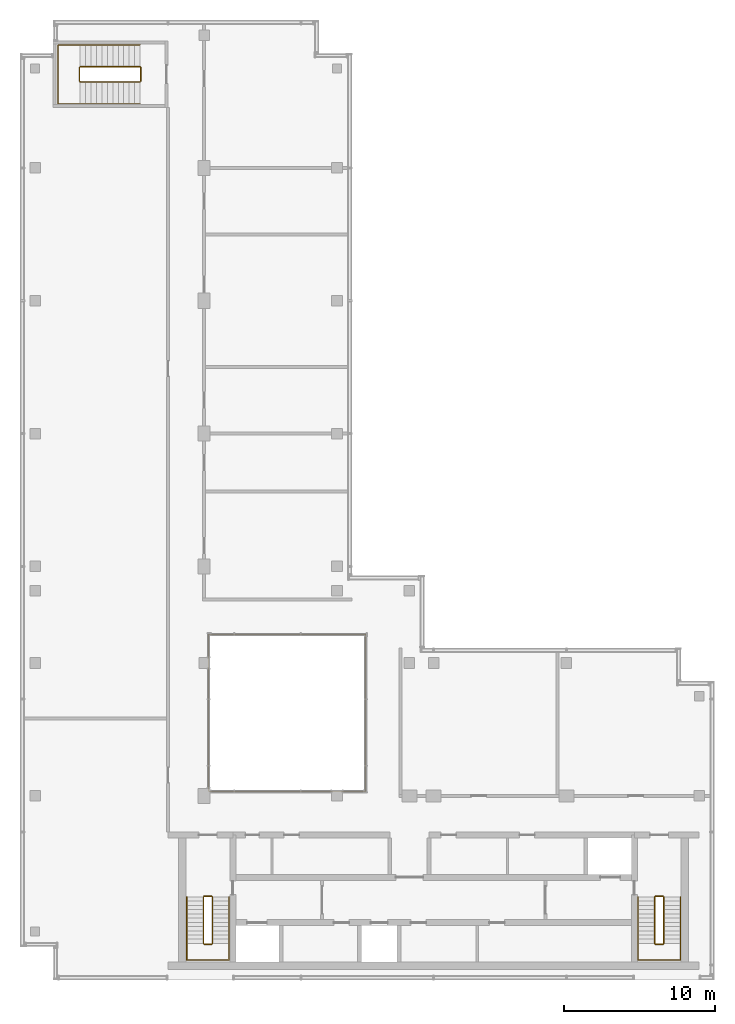
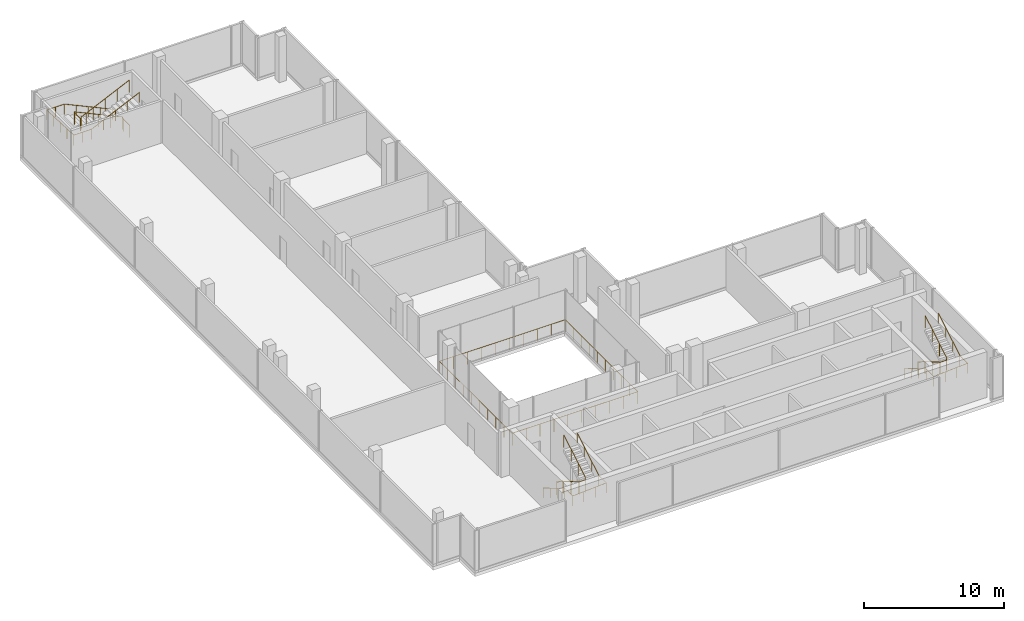
# One storey, part 11 of 11: 7 railings.
"""IFC4 building model written with IfcOpenShell, lengths in metres."""

from ifc_helpers import new_model, si_unit, direction, frame, origin, origin_2d, place, context, subcontext, project, spatial, circle, extrude, material, type_object, element, save


model = new_model("IFC4")

# Units and contexts
model_context = context("Model", 3, precision=1e-05, world=origin(), true_north=direction((0.0, 1.0)))
body_context = subcontext(model_context, "Body", "Model", "MODEL_VIEW")
ifc_project = project(units=[si_unit("LENGTHUNIT", "METRE"), si_unit("AREAUNIT", "SQUARE_METRE"), si_unit("VOLUMEUNIT", "CUBIC_METRE"), si_unit("PLANEANGLEUNIT", "RADIAN"), si_unit("MASSUNIT", "GRAM", prefix="KILO")], contexts=[model_context])

# Site, building, storey
site_placement = place(None, origin())
site = spatial("IfcSite", under=ifc_project, at=site_placement, CompositionType="ELEMENT")
building_placement = place(site_placement, origin())
building = spatial("IfcBuilding", under=site, at=building_placement, Name="Kemantara Hotel Tower", CompositionType="ELEMENT")
storey_placement = place(building_placement, frame((0.0, 0.0, 326.199951171875)))
storey = spatial("IfcBuildingStorey", under=building, at=storey_placement, Name="L82", CompositionType="ELEMENT", Elevation=326.199951171875)

# Railings
ifc_material = material(Name="Stainless steel balustrade", Category="steel")
railing_type_1 = type_object("IfcRailingType", Name="STAINLESS STEEL GUARD 1100", PredefinedType="GUARDRAIL", material=ifc_material)
railing_1_placement = place(storey_placement, frame((12.5, 12.5, 0.0)))
element("IfcRailing", 1, at=railing_1_placement, inside=storey, type_object=railing_type_1, Name="ATRIUM GUARD", PredefinedType="GUARDRAIL", context=body_context, shape_type="SweptSolid", body=[
    extrude(circle(Radius=0.02392578125, at=origin_2d()), frame((0.0, 0.0, 1.076171875), z_axis=(1.0, 0.0, 0.0), x_axis=(0.0, 1.0, 0.0)), (0.0, 0.0, 1.0), 10.39990234375),
    extrude(circle(Radius=0.02392578125, at=origin_2d()), frame((10.39990234375, 0.0, 1.076171875), z_axis=(0.0, 1.0, 0.0), x_axis=(-1.0, 0.0, 0.0)), (0.0, 0.0, 1.0), 10.39990234375),
    extrude(circle(Radius=0.02392578125, at=origin_2d()), frame((10.39990234375, 10.39990234375, 1.076171875), z_axis=(-1.0, 0.0, 0.0), x_axis=(0.0, -1.0, 0.0)), (0.0, 0.0, 1.0), 10.39990234375),
    extrude(circle(Radius=0.02392578125, at=origin_2d()), frame((0.0, 10.39990234375, 1.076171875), z_axis=(0.0, -1.0, 0.0), x_axis=(1.0, 0.0, 0.0)), (0.0, 0.0, 1.0), 10.39990234375),
    extrude(circle(Radius=0.02099609375, at=origin_2d()), origin(), (0.0, 0.0, 1.0), 1.052001953125),
    extrude(circle(Radius=0.02099609375, at=origin_2d()), frame((1.155517578125, 0.0, 0.0)), (0.0, 0.0, 1.0), 1.052001953125),
    extrude(circle(Radius=0.02099609375, at=origin_2d()), frame((2.31103515625, 0.0, 0.0)), (0.0, 0.0, 1.0), 1.052001953125),
    extrude(circle(Radius=0.02099609375, at=origin_2d()), frame((3.466552734375, 0.0, 0.0)), (0.0, 0.0, 1.0), 1.052001953125),
    extrude(circle(Radius=0.02099609375, at=origin_2d()), frame((4.6220703125, 0.0, 0.0)), (0.0, 0.0, 1.0), 1.052001953125),
    extrude(circle(Radius=0.02099609375, at=origin_2d()), frame((5.77783203125, 0.0, 0.0)), (0.0, 0.0, 1.0), 1.052001953125),
    extrude(circle(Radius=0.02099609375, at=origin_2d()), frame((6.933349609375, 0.0, 0.0)), (0.0, 0.0, 1.0), 1.052001953125),
    extrude(circle(Radius=0.02099609375, at=origin_2d()), frame((8.0888671875, 0.0, 0.0)), (0.0, 0.0, 1.0), 1.052001953125),
    extrude(circle(Radius=0.02099609375, at=origin_2d()), frame((9.244384765625, 0.0, 0.0)), (0.0, 0.0, 1.0), 1.052001953125),
    extrude(circle(Radius=0.02099609375, at=origin_2d()), frame((10.39990234375, 0.0, 0.0)), (0.0, 0.0, 1.0), 1.052001953125),
    extrude(circle(Radius=0.02099609375, at=origin_2d()), frame((10.39990234375, 1.155517578125, 0.0)), (0.0, 0.0, 1.0), 1.052001953125),
    extrude(circle(Radius=0.02099609375, at=origin_2d()), frame((10.39990234375, 2.31103515625, 0.0)), (0.0, 0.0, 1.0), 1.052001953125),
    extrude(circle(Radius=0.02099609375, at=origin_2d()), frame((10.39990234375, 3.466552734375, 0.0)), (0.0, 0.0, 1.0), 1.052001953125),
    extrude(circle(Radius=0.02099609375, at=origin_2d()), frame((10.39990234375, 4.6220703125, 0.0)), (0.0, 0.0, 1.0), 1.052001953125),
    extrude(circle(Radius=0.02099609375, at=origin_2d()), frame((10.39990234375, 5.77783203125, 0.0)), (0.0, 0.0, 1.0), 1.052001953125),
    extrude(circle(Radius=0.02099609375, at=origin_2d()), frame((10.39990234375, 6.933349609375, 0.0)), (0.0, 0.0, 1.0), 1.052001953125),
    extrude(circle(Radius=0.02099609375, at=origin_2d()), frame((10.39990234375, 8.0888671875, 0.0)), (0.0, 0.0, 1.0), 1.052001953125),
    extrude(circle(Radius=0.02099609375, at=origin_2d()), frame((10.39990234375, 9.244384765625, 0.0)), (0.0, 0.0, 1.0), 1.052001953125),
    extrude(circle(Radius=0.02099609375, at=origin_2d()), frame((10.39990234375, 10.39990234375, 0.0)), (0.0, 0.0, 1.0), 1.052001953125),
    extrude(circle(Radius=0.02099609375, at=origin_2d()), frame((9.244384765625, 10.39990234375, 0.0)), (0.0, 0.0, 1.0), 1.052001953125),
    extrude(circle(Radius=0.02099609375, at=origin_2d()), frame((8.0888671875, 10.39990234375, 0.0)), (0.0, 0.0, 1.0), 1.052001953125),
    extrude(circle(Radius=0.02099609375, at=origin_2d()), frame((6.933349609375, 10.39990234375, 0.0)), (0.0, 0.0, 1.0), 1.052001953125),
    extrude(circle(Radius=0.02099609375, at=origin_2d()), frame((5.77783203125, 10.39990234375, 0.0)), (0.0, 0.0, 1.0), 1.052001953125),
    extrude(circle(Radius=0.02099609375, at=origin_2d()), frame((4.6220703125, 10.39990234375, 0.0)), (0.0, 0.0, 1.0), 1.052001953125),
    extrude(circle(Radius=0.02099609375, at=origin_2d()), frame((3.466552734375, 10.39990234375, 0.0)), (0.0, 0.0, 1.0), 1.052001953125),
    extrude(circle(Radius=0.02099609375, at=origin_2d()), frame((2.31103515625, 10.39990234375, 0.0)), (0.0, 0.0, 1.0), 1.052001953125),
    extrude(circle(Radius=0.02099609375, at=origin_2d()), frame((1.155517578125, 10.39990234375, 0.0)), (0.0, 0.0, 1.0), 1.052001953125),
    extrude(circle(Radius=0.02099609375, at=origin_2d()), frame((0.0, 10.39990234375, 0.0)), (0.0, 0.0, 1.0), 1.052001953125),
    extrude(circle(Radius=0.02099609375, at=origin_2d()), frame((0.0, 9.244384765625, 0.0)), (0.0, 0.0, 1.0), 1.052001953125),
    extrude(circle(Radius=0.02099609375, at=origin_2d()), frame((0.0, 8.0888671875, 0.0)), (0.0, 0.0, 1.0), 1.052001953125),
    extrude(circle(Radius=0.02099609375, at=origin_2d()), frame((0.0, 6.933349609375, 0.0)), (0.0, 0.0, 1.0), 1.052001953125),
    extrude(circle(Radius=0.02099609375, at=origin_2d()), frame((0.0, 5.77783203125, 0.0)), (0.0, 0.0, 1.0), 1.052001953125),
    extrude(circle(Radius=0.02099609375, at=origin_2d()), frame((0.0, 4.6220703125, 0.0)), (0.0, 0.0, 1.0), 1.052001953125),
    extrude(circle(Radius=0.02099609375, at=origin_2d()), frame((0.0, 3.466552734375, 0.0)), (0.0, 0.0, 1.0), 1.052001953125),
    extrude(circle(Radius=0.02099609375, at=origin_2d()), frame((0.0, 2.31103515625, 0.0)), (0.0, 0.0, 1.0), 1.052001953125),
    extrude(circle(Radius=0.02099609375, at=origin_2d()), frame((0.0, 1.155517578125, 0.0)), (0.0, 0.0, 1.0), 1.052001953125),
])
railing_type_2 = type_object("IfcRailingType", Name="Stair guard 1100 mm", PredefinedType="GUARDRAIL", material=ifc_material)
railing_2_placement = place(storey_placement, frame((12.75, 5.5, 4.0)))
element("IfcRailing", 2, at=railing_2_placement, inside=storey, type_object=railing_type_2, Name="L82 ST1 stair guard 1", PredefinedType="GUARDRAIL", context=body_context, shape_type="SweptSolid", body=[
    extrude(circle(Radius=0.02392578125, at=origin_2d()), frame((0.0, 0.0, 1.076171875), z_axis=(0.0, -0.859308565015, -0.511457515432), x_axis=(1.0, 0.0, 0.0)), (0.0, 0.0, 1.0), 3.58447265625),
    extrude(circle(Radius=0.02392578125, at=origin_2d()), frame((0.0, -3.080078125, -0.75732421875), z_axis=(-0.276389281352, -0.275041040955, -0.920848191041), x_axis=(0.705375805398, -0.708833529934, 0.0)), (0.0, 0.0, 1.0), 0.18115234375),
    extrude(circle(Radius=0.02392578125, at=origin_2d()), frame((-0.050048828125, -3.1298828125, -0.923828125), z_axis=(-1.0, 0.0, 0.0), x_axis=(0.0, -1.0, 0.0)), (0.0, 0.0, 1.0), 0.5),
    extrude(circle(Radius=0.02392578125, at=origin_2d()), frame((-0.550048828125, -3.1298828125, -0.923828125), z_axis=(-0.708833529934, 0.705375805398, 0.0), x_axis=(-0.705375805398, -0.708833529934, 0.0)), (0.0, 0.0, 1.0), 0.070556640625),
    extrude(circle(Radius=0.02392578125, at=origin_2d()), frame((-0.60009765625, -3.080078125, -0.923828125), z_axis=(0.0, 0.859308565015, -0.511457515432), x_axis=(-1.0, 0.0, 0.0)), (0.0, 0.0, 1.0), 3.58447265625),
    extrude(circle(Radius=0.02392578125, at=origin_2d()), frame((-0.60009765625, 0.0, -2.75732421875), z_axis=(0.27628659633, 0.27628659633, -0.920506074601), x_axis=(-0.707106781187, 0.707106781187, 0.0)), (0.0, 0.0, 1.0), 0.18115234375),
    extrude(circle(Radius=0.02392578125, at=origin_2d()), frame((-0.550048828125, 0.050048828125, -2.923828125), z_axis=(1.0, 0.0, 0.0), x_axis=(0.0, 1.0, 0.0)), (0.0, 0.0, 1.0), 0.5),
    extrude(circle(Radius=0.02099609375, at=origin_2d()), origin(), (0.0, 0.0, 1.0), 1.052001953125),
    extrude(circle(Radius=0.02099609375, at=origin_2d()), frame((0.0, -1.026611328125, -0.611083984375)), (0.0, 0.0, 1.0), 1.052001953125),
    extrude(circle(Radius=0.02099609375, at=origin_2d()), frame((0.0, -2.053466796875, -1.22216796875)), (0.0, 0.0, 1.0), 1.052001953125),
    extrude(circle(Radius=0.02099609375, at=origin_2d()), frame((0.0, -3.080078125, -1.833251953125)), (0.0, 0.0, 1.0), 1.052001953125),
    extrude(circle(Radius=0.02099609375, at=origin_2d()), frame((-0.050048828125, -3.1298828125, -2.0)), (0.0, 0.0, 1.0), 1.052001953125),
    extrude(circle(Radius=0.02099609375, at=origin_2d()), frame((-0.550048828125, -3.1298828125, -2.0)), (0.0, 0.0, 1.0), 1.052001953125),
    extrude(circle(Radius=0.02099609375, at=origin_2d()), frame((-0.60009765625, -3.080078125, -2.0)), (0.0, 0.0, 1.0), 1.052001953125),
    extrude(circle(Radius=0.02099609375, at=origin_2d()), frame((-0.60009765625, -2.053466796875, -2.611083984375)), (0.0, 0.0, 1.0), 1.052001953125),
    extrude(circle(Radius=0.02099609375, at=origin_2d()), frame((-0.60009765625, -1.026611328125, -3.22216796875)), (0.0, 0.0, 1.0), 1.052001953125),
    extrude(circle(Radius=0.02099609375, at=origin_2d()), frame((-0.60009765625, 0.0, -3.833251953125)), (0.0, 0.0, 1.0), 1.052001953125),
    extrude(circle(Radius=0.02099609375, at=origin_2d()), frame((-0.550048828125, 0.050048828125, -4.0)), (0.0, 0.0, 1.0), 1.052001953125),
    extrude(circle(Radius=0.02099609375, at=origin_2d()), frame((-0.050048828125, 0.050048828125, -4.0)), (0.0, 0.0, 1.0), 1.052001953125),
])
railing_3_placement = place(storey_placement, frame((42.64990234375, 5.5, 4.0)))
element("IfcRailing", 3, at=railing_3_placement, inside=storey, type_object=railing_type_2, Name="L82 ST2 stair guard 1", PredefinedType="GUARDRAIL", context=body_context, shape_type="SweptSolid", body=[
    extrude(circle(Radius=0.02392578125, at=origin_2d()), frame((0.0, 0.0, 1.076171875), z_axis=(0.0, -0.859308565015, -0.511457515432), x_axis=(1.0, 0.0, 0.0)), (0.0, 0.0, 1.0), 3.58447265625),
    extrude(circle(Radius=0.02392578125, at=origin_2d()), frame((0.0, -3.080078125, -0.75732421875), z_axis=(-0.275143339093, -0.275143339093, -0.92119068922), x_axis=(0.707106781187, -0.707106781187, 0.0)), (0.0, 0.0, 1.0), 0.180908203125),
    extrude(circle(Radius=0.02392578125, at=origin_2d()), frame((-0.0498046875, -3.1298828125, -0.923828125), z_axis=(-1.0, 0.0, 0.0), x_axis=(0.0, -1.0, 0.0)), (0.0, 0.0, 1.0), 0.5),
    extrude(circle(Radius=0.02392578125, at=origin_2d()), frame((-0.5498046875, -3.1298828125, -0.923828125), z_axis=(-0.708833529934, 0.705375805398, 0.0), x_axis=(-0.705375805398, -0.708833529934, 0.0)), (0.0, 0.0, 1.0), 0.070556640625),
    extrude(circle(Radius=0.02392578125, at=origin_2d()), frame((-0.599853515625, -3.080078125, -0.923828125), z_axis=(0.0, 0.859308565015, -0.511457515432), x_axis=(-1.0, 0.0, 0.0)), (0.0, 0.0, 1.0), 3.58447265625),
    extrude(circle(Radius=0.02392578125, at=origin_2d()), frame((-0.599853515625, 0.0, -2.75732421875), z_axis=(0.27628659633, 0.27628659633, -0.920506074601), x_axis=(-0.707106781187, 0.707106781187, 0.0)), (0.0, 0.0, 1.0), 0.18115234375),
    extrude(circle(Radius=0.02392578125, at=origin_2d()), frame((-0.5498046875, 0.050048828125, -2.923828125), z_axis=(1.0, 0.0, 0.0), x_axis=(0.0, 1.0, 0.0)), (0.0, 0.0, 1.0), 0.5),
    extrude(circle(Radius=0.02099609375, at=origin_2d()), origin(), (0.0, 0.0, 1.0), 1.052001953125),
    extrude(circle(Radius=0.02099609375, at=origin_2d()), frame((0.0, -1.026611328125, -0.611083984375)), (0.0, 0.0, 1.0), 1.052001953125),
    extrude(circle(Radius=0.02099609375, at=origin_2d()), frame((0.0, -2.053466796875, -1.22216796875)), (0.0, 0.0, 1.0), 1.052001953125),
    extrude(circle(Radius=0.02099609375, at=origin_2d()), frame((0.0, -3.080078125, -1.833251953125)), (0.0, 0.0, 1.0), 1.052001953125),
    extrude(circle(Radius=0.02099609375, at=origin_2d()), frame((-0.0498046875, -3.1298828125, -2.0)), (0.0, 0.0, 1.0), 1.052001953125),
    extrude(circle(Radius=0.02099609375, at=origin_2d()), frame((-0.5498046875, -3.1298828125, -2.0)), (0.0, 0.0, 1.0), 1.052001953125),
    extrude(circle(Radius=0.02099609375, at=origin_2d()), frame((-0.599853515625, -3.080078125, -2.0)), (0.0, 0.0, 1.0), 1.052001953125),
    extrude(circle(Radius=0.02099609375, at=origin_2d()), frame((-0.599853515625, -2.053466796875, -2.611083984375)), (0.0, 0.0, 1.0), 1.052001953125),
    extrude(circle(Radius=0.02099609375, at=origin_2d()), frame((-0.599853515625, -1.026611328125, -3.22216796875)), (0.0, 0.0, 1.0), 1.052001953125),
    extrude(circle(Radius=0.02099609375, at=origin_2d()), frame((-0.599853515625, 0.0, -3.833251953125)), (0.0, 0.0, 1.0), 1.052001953125),
    extrude(circle(Radius=0.02099609375, at=origin_2d()), frame((-0.5498046875, 0.050048828125, -4.0)), (0.0, 0.0, 1.0), 1.052001953125),
    extrude(circle(Radius=0.02099609375, at=origin_2d()), frame((-0.0498046875, 0.050048828125, -4.0)), (0.0, 0.0, 1.0), 1.052001953125),
])
railing_4_placement = place(storey_placement, frame((7.949951171875, 59.5, 4.0)))
element("IfcRailing", 4, at=railing_4_placement, inside=storey, type_object=railing_type_2, Name="L82 ST4 stair guard 1", PredefinedType="GUARDRAIL", context=body_context, shape_type="SweptSolid", body=[
    extrude(circle(Radius=0.02392578125, at=origin_2d()), frame((0.0, 0.0, 1.076171875), z_axis=(-0.907472437036, 0.0, -0.420111623286), x_axis=(0.0, -1.0, 0.0)), (0.0, 0.0, 1.0), 4.36376953125),
    extrude(circle(Radius=0.02392578125, at=origin_2d()), frame((-3.9599609375, 0.0, -0.75732421875), z_axis=(-0.27628659633, 0.27628659633, -0.920506074601), x_axis=(-0.707106781187, -0.707106781187, 0.0)), (0.0, 0.0, 1.0), 0.18115234375),
    extrude(circle(Radius=0.02392578125, at=origin_2d()), frame((-4.010009765625, 0.050048828125, -0.923828125), z_axis=(0.0, 1.0, 0.0), x_axis=(-1.0, 0.0, 0.0)), (0.0, 0.0, 1.0), 0.89990234375),
    extrude(circle(Radius=0.02392578125, at=origin_2d()), frame((-4.010009765625, 0.949951171875, -0.923828125), z_axis=(0.707106781187, 0.707106781187, 0.0), x_axis=(-0.707106781187, 0.707106781187, 0.0)), (0.0, 0.0, 1.0), 0.07080078125),
    extrude(circle(Radius=0.02392578125, at=origin_2d()), frame((-3.9599609375, 1.0, -0.923828125), z_axis=(0.907472437036, 0.0, -0.420111623286), x_axis=(0.0, 1.0, 0.0)), (0.0, 0.0, 1.0), 4.36376953125),
    extrude(circle(Radius=0.02392578125, at=origin_2d()), frame((0.0, 1.0, -2.75732421875), z_axis=(0.27628659633, -0.27628659633, -0.920506074601), x_axis=(0.707106781187, 0.707106781187, 0.0)), (0.0, 0.0, 1.0), 0.18115234375),
    extrude(circle(Radius=0.02392578125, at=origin_2d()), frame((0.050048828125, 0.949951171875, -2.923828125), z_axis=(0.0, -1.0, 0.0), x_axis=(1.0, 0.0, 0.0)), (0.0, 0.0, 1.0), 0.89990234375),
    extrude(circle(Radius=0.02099609375, at=origin_2d()), origin(), (0.0, 0.0, 1.0), 1.052001953125),
    extrude(circle(Radius=0.02099609375, at=origin_2d()), frame((-0.989990234375, 0.0, -0.458251953125)), (0.0, 0.0, 1.0), 1.052001953125),
    extrude(circle(Radius=0.02099609375, at=origin_2d()), frame((-1.97998046875, 0.0, -0.91650390625)), (0.0, 0.0, 1.0), 1.052001953125),
    extrude(circle(Radius=0.02099609375, at=origin_2d()), frame((-2.969970703125, 0.0, -1.375)), (0.0, 0.0, 1.0), 1.052001953125),
    extrude(circle(Radius=0.02099609375, at=origin_2d()), frame((-3.9599609375, 0.0, -1.833251953125)), (0.0, 0.0, 1.0), 1.052001953125),
    extrude(circle(Radius=0.02099609375, at=origin_2d()), frame((-4.010009765625, 0.050048828125, -2.0)), (0.0, 0.0, 1.0), 1.052001953125),
    extrude(circle(Radius=0.02099609375, at=origin_2d()), frame((-4.010009765625, 0.949951171875, -2.0)), (0.0, 0.0, 1.0), 1.052001953125),
    extrude(circle(Radius=0.02099609375, at=origin_2d()), frame((-3.9599609375, 1.0, -2.0)), (0.0, 0.0, 1.0), 1.052001953125),
    extrude(circle(Radius=0.02099609375, at=origin_2d()), frame((-2.969970703125, 1.0, -2.458251953125)), (0.0, 0.0, 1.0), 1.052001953125),
    extrude(circle(Radius=0.02099609375, at=origin_2d()), frame((-1.97998046875, 1.0, -2.91650390625)), (0.0, 0.0, 1.0), 1.052001953125),
    extrude(circle(Radius=0.02099609375, at=origin_2d()), frame((-0.989990234375, 1.0, -3.375)), (0.0, 0.0, 1.0), 1.052001953125),
    extrude(circle(Radius=0.02099609375, at=origin_2d()), frame((0.0, 1.0, -3.833251953125)), (0.0, 0.0, 1.0), 1.052001953125),
    extrude(circle(Radius=0.02099609375, at=origin_2d()), frame((0.050048828125, 0.949951171875, -4.0)), (0.0, 0.0, 1.0), 1.052001953125),
    extrude(circle(Radius=0.02099609375, at=origin_2d()), frame((0.050048828125, 0.050048828125, -4.0)), (0.0, 0.0, 1.0), 1.052001953125),
])
railing_type_3 = type_object("IfcRailingType", Name="Stair handrail 900 mm", PredefinedType="HANDRAIL", material=ifc_material)
railing_5_placement = place(storey_placement, frame((11.050048828125, 5.5, 0.166748046875)))
element("IfcRailing", 5, at=railing_5_placement, inside=storey, type_object=railing_type_3, Name="L82 ST1 stair handrail 1", PredefinedType="HANDRAIL", context=body_context, shape_type="SweptSolid", body=[
    extrude(circle(Radius=0.02392578125, at=origin_2d()), frame((0.0, 0.0, 0.8759765625), z_axis=(0.0, -0.859308565015, 0.511457515432), x_axis=(1.0, 0.0, 0.0)), (0.0, 0.0, 1.0), 3.58447265625),
    extrude(circle(Radius=0.02392578125, at=origin_2d()), frame((0.0, -3.080078125, 2.708984375), z_axis=(0.0, -1.0, 0.0), x_axis=(1.0, 0.0, 0.0)), (0.0, 0.0, 1.0), 1.099853515625),
    extrude(circle(Radius=0.02392578125, at=origin_2d()), frame((0.0, -4.179931640625, 2.708984375), z_axis=(0.998231491969, 0.0, 0.059446517483), x_axis=(0.0, 1.0, 0.0)), (0.0, 0.0, 1.0), 2.804931640625),
    extrude(circle(Radius=0.02392578125, at=origin_2d()), frame((2.800048828125, -4.179931640625, 2.8759765625), z_axis=(0.0, 1.0, 0.0), x_axis=(-1.0, 0.0, 0.0)), (0.0, 0.0, 1.0), 1.099853515625),
    extrude(circle(Radius=0.02392578125, at=origin_2d()), frame((2.800048828125, -3.080078125, 2.8759765625), z_axis=(0.0, 0.859308565015, 0.511457515432), x_axis=(-1.0, 0.0, 0.0)), (0.0, 0.0, 1.0), 3.58447265625),
    extrude(circle(Radius=0.02099609375, at=origin_2d()), origin(), (0.0, 0.0, 1.0), 0.851806640625),
    extrude(circle(Radius=0.02099609375, at=origin_2d()), frame((0.0, -1.026611328125, 0.611083984375)), (0.0, 0.0, 1.0), 0.851806640625),
    extrude(circle(Radius=0.02099609375, at=origin_2d()), frame((0.0, -2.053466796875, 1.22216796875)), (0.0, 0.0, 1.0), 0.851806640625),
    extrude(circle(Radius=0.02099609375, at=origin_2d()), frame((0.0, -3.080078125, 1.833251953125)), (0.0, 0.0, 1.0), 0.851806640625),
    extrude(circle(Radius=0.02099609375, at=origin_2d()), frame((0.0, -4.179931640625, 1.833251953125)), (0.0, 0.0, 1.0), 0.851806640625),
    extrude(circle(Radius=0.02099609375, at=origin_2d()), frame((0.933349609375, -4.179931640625, 1.888916015625)), (0.0, 0.0, 1.0), 0.851806640625),
    extrude(circle(Radius=0.02099609375, at=origin_2d()), frame((1.86669921875, -4.179931640625, 1.9443359375)), (0.0, 0.0, 1.0), 0.851806640625),
    extrude(circle(Radius=0.02099609375, at=origin_2d()), frame((2.800048828125, -4.179931640625, 2.0)), (0.0, 0.0, 1.0), 0.851806640625),
    extrude(circle(Radius=0.02099609375, at=origin_2d()), frame((2.800048828125, -3.080078125, 2.0)), (0.0, 0.0, 1.0), 0.851806640625),
    extrude(circle(Radius=0.02099609375, at=origin_2d()), frame((2.800048828125, -2.053466796875, 2.611083984375)), (0.0, 0.0, 1.0), 0.851806640625),
    extrude(circle(Radius=0.02099609375, at=origin_2d()), frame((2.800048828125, -1.026611328125, 3.22216796875)), (0.0, 0.0, 1.0), 0.851806640625),
    extrude(circle(Radius=0.02099609375, at=origin_2d()), frame((2.800048828125, 0.0, 3.833251953125)), (0.0, 0.0, 1.0), 0.851806640625),
])
railing_6_placement = place(storey_placement, frame((40.949951171875, 5.5, 0.166748046875)))
element("IfcRailing", 6, at=railing_6_placement, inside=storey, type_object=railing_type_3, Name="L82 ST2 stair handrail 1", PredefinedType="HANDRAIL", context=body_context, shape_type="SweptSolid", body=[
    extrude(circle(Radius=0.02392578125, at=origin_2d()), frame((0.0, 0.0, 0.8759765625), z_axis=(0.0, -0.859308565015, 0.511457515432), x_axis=(1.0, 0.0, 0.0)), (0.0, 0.0, 1.0), 3.58447265625),
    extrude(circle(Radius=0.02392578125, at=origin_2d()), frame((0.0, -3.080078125, 2.708984375), z_axis=(0.0, -1.0, 0.0), x_axis=(1.0, 0.0, 0.0)), (0.0, 0.0, 1.0), 1.099853515625),
    extrude(circle(Radius=0.02392578125, at=origin_2d()), frame((0.0, -4.179931640625, 2.708984375), z_axis=(0.998231491969, 0.0, 0.059446517483), x_axis=(0.0, 1.0, 0.0)), (0.0, 0.0, 1.0), 2.804931640625),
    extrude(circle(Radius=0.02392578125, at=origin_2d()), frame((2.800048828125, -4.179931640625, 2.8759765625), z_axis=(0.0, 1.0, 0.0), x_axis=(-1.0, 0.0, 0.0)), (0.0, 0.0, 1.0), 1.099853515625),
    extrude(circle(Radius=0.02392578125, at=origin_2d()), frame((2.800048828125, -3.080078125, 2.8759765625), z_axis=(0.0, 0.859308565015, 0.511457515432), x_axis=(-1.0, 0.0, 0.0)), (0.0, 0.0, 1.0), 3.58447265625),
    extrude(circle(Radius=0.02099609375, at=origin_2d()), origin(), (0.0, 0.0, 1.0), 0.851806640625),
    extrude(circle(Radius=0.02099609375, at=origin_2d()), frame((0.0, -1.026611328125, 0.611083984375)), (0.0, 0.0, 1.0), 0.851806640625),
    extrude(circle(Radius=0.02099609375, at=origin_2d()), frame((0.0, -2.053466796875, 1.22216796875)), (0.0, 0.0, 1.0), 0.851806640625),
    extrude(circle(Radius=0.02099609375, at=origin_2d()), frame((0.0, -3.080078125, 1.833251953125)), (0.0, 0.0, 1.0), 0.851806640625),
    extrude(circle(Radius=0.02099609375, at=origin_2d()), frame((0.0, -4.179931640625, 1.833251953125)), (0.0, 0.0, 1.0), 0.851806640625),
    extrude(circle(Radius=0.02099609375, at=origin_2d()), frame((0.933349609375, -4.179931640625, 1.888916015625)), (0.0, 0.0, 1.0), 0.851806640625),
    extrude(circle(Radius=0.02099609375, at=origin_2d()), frame((1.86669921875, -4.179931640625, 1.9443359375)), (0.0, 0.0, 1.0), 0.851806640625),
    extrude(circle(Radius=0.02099609375, at=origin_2d()), frame((2.800048828125, -4.179931640625, 2.0)), (0.0, 0.0, 1.0), 0.851806640625),
    extrude(circle(Radius=0.02099609375, at=origin_2d()), frame((2.800048828125, -3.080078125, 2.0)), (0.0, 0.0, 1.0), 0.851806640625),
    extrude(circle(Radius=0.02099609375, at=origin_2d()), frame((2.800048828125, -2.053466796875, 2.611083984375)), (0.0, 0.0, 1.0), 0.851806640625),
    extrude(circle(Radius=0.02099609375, at=origin_2d()), frame((2.800048828125, -1.026611328125, 3.22216796875)), (0.0, 0.0, 1.0), 0.851806640625),
    extrude(circle(Radius=0.02099609375, at=origin_2d()), frame((2.800048828125, 0.0, 3.833251953125)), (0.0, 0.0, 1.0), 0.851806640625),
])
railing_7_placement = place(storey_placement, frame((7.949951171875, 61.949951171875, 0.166748046875)))
element("IfcRailing", 7, at=railing_7_placement, inside=storey, type_object=railing_type_3, Name="L82 ST4 stair handrail 1", PredefinedType="HANDRAIL", context=body_context, shape_type="SweptSolid", body=[
    extrude(circle(Radius=0.02392578125, at=origin_2d()), frame((0.0, 0.0, 0.8759765625), z_axis=(-0.907472437036, 0.0, 0.420111623286), x_axis=(0.0, -1.0, 0.0)), (0.0, 0.0, 1.0), 4.36376953125),
    extrude(circle(Radius=0.02392578125, at=origin_2d()), frame((-3.9599609375, 0.0, 2.708984375), z_axis=(-1.0, 0.0, 0.0), x_axis=(0.0, -1.0, 0.0)), (0.0, 0.0, 1.0), 1.469970703125),
    extrude(circle(Radius=0.02392578125, at=origin_2d()), frame((-5.429931640625, 0.0, 2.708984375), z_axis=(0.0, -0.999087171733, 0.042717950313), x_axis=(1.0, 0.0, 0.0)), (0.0, 0.0, 1.0), 3.903564453125),
    extrude(circle(Radius=0.02392578125, at=origin_2d()), frame((-5.429931640625, -3.89990234375, 2.8759765625), z_axis=(1.0, 0.0, 0.0), x_axis=(0.0, 1.0, 0.0)), (0.0, 0.0, 1.0), 1.469970703125),
    extrude(circle(Radius=0.02392578125, at=origin_2d()), frame((-3.9599609375, -3.89990234375, 2.8759765625), z_axis=(0.907472437036, 0.0, 0.420111623286), x_axis=(0.0, 1.0, 0.0)), (0.0, 0.0, 1.0), 4.36376953125),
    extrude(circle(Radius=0.02099609375, at=origin_2d()), origin(), (0.0, 0.0, 1.0), 0.851806640625),
    extrude(circle(Radius=0.02099609375, at=origin_2d()), frame((-0.989990234375, 0.0, 0.458251953125)), (0.0, 0.0, 1.0), 0.851806640625),
    extrude(circle(Radius=0.02099609375, at=origin_2d()), frame((-1.97998046875, 0.0, 0.91650390625)), (0.0, 0.0, 1.0), 0.851806640625),
    extrude(circle(Radius=0.02099609375, at=origin_2d()), frame((-2.969970703125, 0.0, 1.375)), (0.0, 0.0, 1.0), 0.851806640625),
    extrude(circle(Radius=0.02099609375, at=origin_2d()), frame((-3.9599609375, 0.0, 1.833251953125)), (0.0, 0.0, 1.0), 0.851806640625),
    extrude(circle(Radius=0.02099609375, at=origin_2d()), frame((-4.69482421875, 0.0, 1.833251953125)), (0.0, 0.0, 1.0), 0.851806640625),
    extrude(circle(Radius=0.02099609375, at=origin_2d()), frame((-5.429931640625, 0.0, 1.833251953125)), (0.0, 0.0, 1.0), 0.851806640625),
    extrude(circle(Radius=0.02099609375, at=origin_2d()), frame((-5.429931640625, -0.97509765625, 1.875)), (0.0, 0.0, 1.0), 0.851806640625),
    extrude(circle(Radius=0.02099609375, at=origin_2d()), frame((-5.429931640625, -1.949951171875, 1.91650390625)), (0.0, 0.0, 1.0), 0.851806640625),
    extrude(circle(Radius=0.02099609375, at=origin_2d()), frame((-5.429931640625, -2.9248046875, 1.958251953125)), (0.0, 0.0, 1.0), 0.851806640625),
    extrude(circle(Radius=0.02099609375, at=origin_2d()), frame((-5.429931640625, -3.89990234375, 2.0)), (0.0, 0.0, 1.0), 0.851806640625),
    extrude(circle(Radius=0.02099609375, at=origin_2d()), frame((-4.69482421875, -3.89990234375, 2.0)), (0.0, 0.0, 1.0), 0.851806640625),
    extrude(circle(Radius=0.02099609375, at=origin_2d()), frame((-3.9599609375, -3.89990234375, 2.0)), (0.0, 0.0, 1.0), 0.851806640625),
    extrude(circle(Radius=0.02099609375, at=origin_2d()), frame((-2.969970703125, -3.89990234375, 2.458251953125)), (0.0, 0.0, 1.0), 0.851806640625),
    extrude(circle(Radius=0.02099609375, at=origin_2d()), frame((-1.97998046875, -3.89990234375, 2.91650390625)), (0.0, 0.0, 1.0), 0.851806640625),
    extrude(circle(Radius=0.02099609375, at=origin_2d()), frame((-0.989990234375, -3.89990234375, 3.375)), (0.0, 0.0, 1.0), 0.851806640625),
    extrude(circle(Radius=0.02099609375, at=origin_2d()), frame((0.0, -3.89990234375, 3.833251953125)), (0.0, 0.0, 1.0), 0.851806640625),
])

save(model, "model.ifc")
